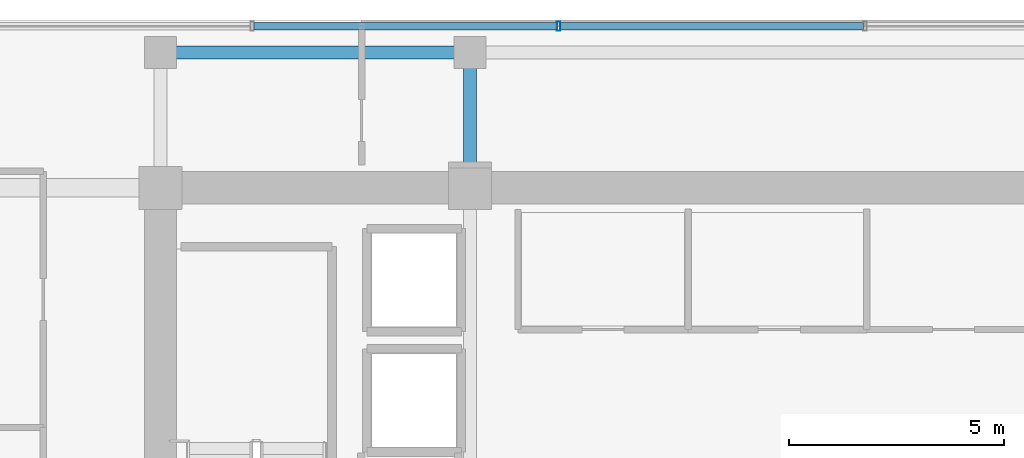
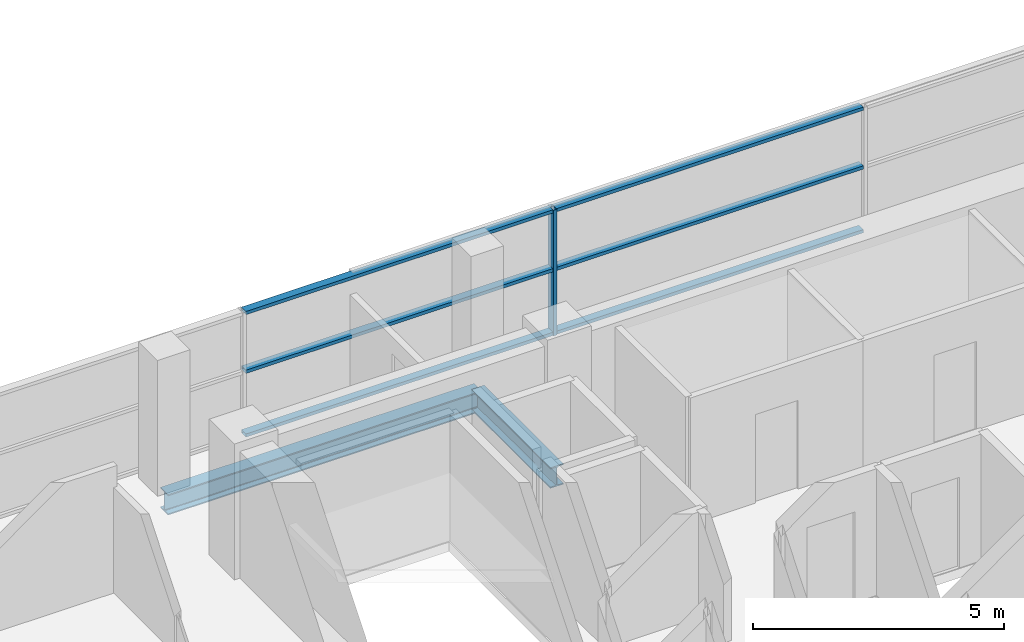
# One storey, part 11 of 23: 7 members, 2 beams, 1 element without a shape of its own.
"""IFC4 building model written with IfcOpenShell, lengths in metres."""

from ifc_helpers import new_model, si_unit, direction, frame, origin, origin_2d, place, context, subcontext, project, spatial, hollow_rectangle, i_section, extrude, source, transform, mapped, material, layer, layer_set, material_profile, profile_set, type_object, element, aggregate, save


model = new_model("IFC4")

# Units and contexts
model_context = context("Model", 3, precision=1e-05, world=origin(), true_north=direction((0.0, 1.0)))
body_context = subcontext(model_context, "Body", "Model", "MODEL_VIEW")
ifc_project = project(units=[si_unit("LENGTHUNIT", "METRE"), si_unit("AREAUNIT", "SQUARE_METRE"), si_unit("VOLUMEUNIT", "CUBIC_METRE"), si_unit("PLANEANGLEUNIT", "RADIAN"), si_unit("MASSUNIT", "GRAM", prefix="KILO")], contexts=[model_context])

# Site, building, storey
site_placement = place(None, origin())
site = spatial("IfcSite", under=ifc_project, at=site_placement, CompositionType="ELEMENT")
building_placement = place(site_placement, origin())
building = spatial("IfcBuilding", under=site, at=building_placement, Name="Zarnakvel Exchange Tower", CompositionType="ELEMENT")
storey_placement = place(building_placement, frame((0.0, 0.0, 172.60009765625)))
storey = spatial("IfcBuildingStorey", under=building, at=storey_placement, Name="L48", CompositionType="ELEMENT", Elevation=172.60009765625)

# Beams
ifc_material_1 = material(Name="Steel S355", Category="steel")
ifc_material_profile_1 = material_profile(ifc_material_1, i_section(OverallWidth=0.300048828125, OverallDepth=0.5, WebThickness=0.014404296875, FlangeThickness=0.028076171875, FilletRadius=0.027099609375, at=origin_2d()))
ifc_profile_set_1 = profile_set([ifc_material_profile_1], Name="Steel S355")
beam_type_1 = type_object("IfcBeamType", Name="G-06", PredefinedType="BEAM", material=ifc_profile_set_1)
beam_1_placement = place(storey_placement, frame((-7.199951171875, 13.5, -0.47509765625), z_axis=(0.0, 1.0, 0.0), x_axis=(-1.0, 0.0, 0.0)))
element("IfcBeam", 1, at=beam_1_placement, inside=storey, type_object=beam_type_1, Name="L48 Tower N-S Frame Beam", PredefinedType="BEAM", context=body_context, shape_type="SweptSolid", body=[
    extrude(i_section(OverallWidth=0.300048828125, OverallDepth=0.5, WebThickness=0.014404296875, FlangeThickness=0.028076171875, FilletRadius=0.027099609375, at=origin_2d()), origin(), (0.0, 0.0, 1.0), 3.14990234375),
])
ifc_material_profile_2 = material_profile(ifc_material_1, i_section(OverallWidth=0.300048828125, OverallDepth=0.5, WebThickness=0.014404296875, FlangeThickness=0.028076171875, FilletRadius=0.027099609375, at=origin_2d()))
ifc_profile_set_2 = profile_set([ifc_material_profile_2], Name="Steel S355")
beam_type_2 = type_object("IfcBeamType", Name="SP-02", PredefinedType="SPANDREL", material=ifc_profile_set_2)
beam_2_placement = place(storey_placement, frame((-14.39990234375, 16.64990234375, -0.47509765625), z_axis=(1.0, 0.0, 0.0), x_axis=(0.0, 1.0, 0.0)))
element("IfcBeam", 2, at=beam_2_placement, inside=storey, type_object=beam_type_2, Name="L48 Tower E-W Frame Beam", PredefinedType="SPANDREL", context=body_context, shape_type="SweptSolid", body=[
    extrude(i_section(OverallWidth=0.300048828125, OverallDepth=0.5, WebThickness=0.014404296875, FlangeThickness=0.028076171875, FilletRadius=0.027099609375, at=origin_2d()), origin(), (0.0, 0.0, 1.0), 7.199951171875),
])

# Curtain wall, members
ifc_material_2 = material(Name="Architectural Bronze Anodised Aluminium", Category="aluminium")
ifc_layer = layer(ifc_material_2, 0.219970703125)
ifc_layer_set = layer_set([ifc_layer], Name="Architectural Bronze Anodised Aluminium")
curtain_wall_type = type_object("IfcCurtainWallType", Name="CW-03", PredefinedType="NOTDEFINED", material=ifc_layer_set)
curtain_wall_placement = place(storey_placement, origin())
curtain_wall = element("IfcCurtainWall", 3, at=curtain_wall_placement, inside=storey, type_object=curtain_wall_type, Name="L48 Curtain Wall CW-L48-N1 (CW-03)", PredefinedType="NOTDEFINED")
ifc_material_profile_3 = material_profile(ifc_material_2, hollow_rectangle(XDim=0.219970703125, YDim=0.080078125, WallThickness=0.0048828125, at=origin_2d()))
ifc_profile_set_3 = profile_set([ifc_material_profile_3], Name="Architectural Bronze Anodised Aluminium")
member_type_1 = type_object("IfcMemberType", Name="CWM-03", PredefinedType="MULLION", material=ifc_profile_set_3)
shared_shape_1 = source(origin(), body_context, "Body", "SweptSolid", [
    extrude(hollow_rectangle(XDim=0.219970703125, YDim=0.080078125, WallThickness=0.0048828125, at=origin_2d()), origin(), (0.0, 0.0, 1.0), 3.054931640625),
])
member_1_placement = place(storey_placement, frame((-5.13330078125, 17.260009765625, 0.0), z_axis=(0.0, 0.0, 1.0), x_axis=(0.0, 1.0, 0.0)))
member_1 = element("IfcMember", 4, at=member_1_placement, type_object=member_type_1, Name="CW-03 mullion 3", PredefinedType="MULLION", context=body_context, shape_type="MappedRepresentation", body=[
    mapped(shared_shape_1, transform((0.0, 0.0, 0.0), x_axis=(1.0, 0.0, 0.0), y_axis=(0.0, 1.0, 0.0), z_axis=(0.0, 0.0, 1.0), scale=1.0)),
])
ifc_material_profile_4 = material_profile(ifc_material_2, hollow_rectangle(XDim=0.179931640625, YDim=0.080078125, WallThickness=0.00390625, at=origin_2d()))
ifc_profile_set_4 = profile_set([ifc_material_profile_4], Name="Architectural Bronze Anodised Aluminium")
member_type_2 = type_object("IfcMemberType", Name="CWT-03", PredefinedType="USERDEFINED", material=ifc_profile_set_4)
shared_shape_2 = source(origin(), body_context, "Body", "SweptSolid", [
    extrude(hollow_rectangle(XDim=0.179931640625, YDim=0.080078125, WallThickness=0.00390625, at=origin_2d()), origin(), (0.0, 0.0, 1.0), 7.05322265625),
])
member_2_placement = place(storey_placement, frame((-12.2265625, 17.260009765625, 0.039794921875), z_axis=(1.0, 0.0, 0.0), x_axis=(0.0, 1.0, 0.0)))
member_2 = element("IfcMember", 5, at=member_2_placement, type_object=member_type_2, Name="CW-03 transom 2.1", ObjectType="TRANSOM", PredefinedType="USERDEFINED", context=body_context, shape_type="MappedRepresentation", body=[
    mapped(shared_shape_2, transform((0.0, 0.0, 0.0), x_axis=(1.0, 0.0, 0.0), y_axis=(0.0, 1.0, 0.0), z_axis=(0.0, 0.0, 1.0), scale=1.0)),
])
member_3_placement = place(storey_placement, frame((-12.2265625, 17.260009765625, 1.588623046875), z_axis=(1.0, 0.0, 0.0), x_axis=(0.0, 1.0, 0.0)))
member_3 = element("IfcMember", 6, at=member_3_placement, type_object=member_type_2, Name="CW-03 transom 2.2", ObjectType="TRANSOM", PredefinedType="USERDEFINED", context=body_context, shape_type="MappedRepresentation", body=[
    mapped(shared_shape_2, transform((0.0, 0.0, 0.0), x_axis=(1.0, 0.0, 0.0), y_axis=(0.0, 1.0, 0.0), z_axis=(0.0, 0.0, 1.0), scale=1.0)),
])
member_4_placement = place(storey_placement, frame((-12.2265625, 17.260009765625, 3.014892578125), z_axis=(1.0, 0.0, 0.0), x_axis=(0.0, 1.0, 0.0)))
member_4 = element("IfcMember", 7, at=member_4_placement, type_object=member_type_2, Name="CW-03 transom 2.3", ObjectType="TRANSOM", PredefinedType="USERDEFINED", context=body_context, shape_type="MappedRepresentation", body=[
    mapped(shared_shape_2, transform((0.0, 0.0, 0.0), x_axis=(1.0, 0.0, 0.0), y_axis=(0.0, 1.0, 0.0), z_axis=(0.0, 0.0, 1.0), scale=1.0)),
])
member_5_placement = place(storey_placement, frame((-5.09326171875, 17.260009765625, 0.039794921875), z_axis=(1.0, 0.0, 0.0), x_axis=(0.0, 1.0, 0.0)))
member_5 = element("IfcMember", 8, at=member_5_placement, type_object=member_type_2, Name="CW-03 transom 3.1", ObjectType="TRANSOM", PredefinedType="USERDEFINED", context=body_context, shape_type="MappedRepresentation", body=[
    mapped(shared_shape_2, transform((0.0, 0.0, 0.0), x_axis=(1.0, 0.0, 0.0), y_axis=(0.0, 1.0, 0.0), z_axis=(0.0, 0.0, 1.0), scale=1.0)),
])
member_6_placement = place(storey_placement, frame((-5.09326171875, 17.260009765625, 1.588623046875), z_axis=(1.0, 0.0, 0.0), x_axis=(0.0, 1.0, 0.0)))
member_6 = element("IfcMember", 9, at=member_6_placement, type_object=member_type_2, Name="CW-03 transom 3.2", ObjectType="TRANSOM", PredefinedType="USERDEFINED", context=body_context, shape_type="MappedRepresentation", body=[
    mapped(shared_shape_2, transform((0.0, 0.0, 0.0), x_axis=(1.0, 0.0, 0.0), y_axis=(0.0, 1.0, 0.0), z_axis=(0.0, 0.0, 1.0), scale=1.0)),
])
member_7_placement = place(storey_placement, frame((-5.09326171875, 17.260009765625, 3.014892578125), z_axis=(1.0, 0.0, 0.0), x_axis=(0.0, 1.0, 0.0)))
member_7 = element("IfcMember", 10, at=member_7_placement, type_object=member_type_2, Name="CW-03 transom 3.3", ObjectType="TRANSOM", PredefinedType="USERDEFINED", context=body_context, shape_type="MappedRepresentation", body=[
    mapped(shared_shape_2, transform((0.0, 0.0, 0.0), x_axis=(1.0, 0.0, 0.0), y_axis=(0.0, 1.0, 0.0), z_axis=(0.0, 0.0, 1.0), scale=1.0)),
])
aggregate(curtain_wall, [member_1, member_2, member_3, member_4, member_5, member_6, member_7])

save(model, "model.ifc")
